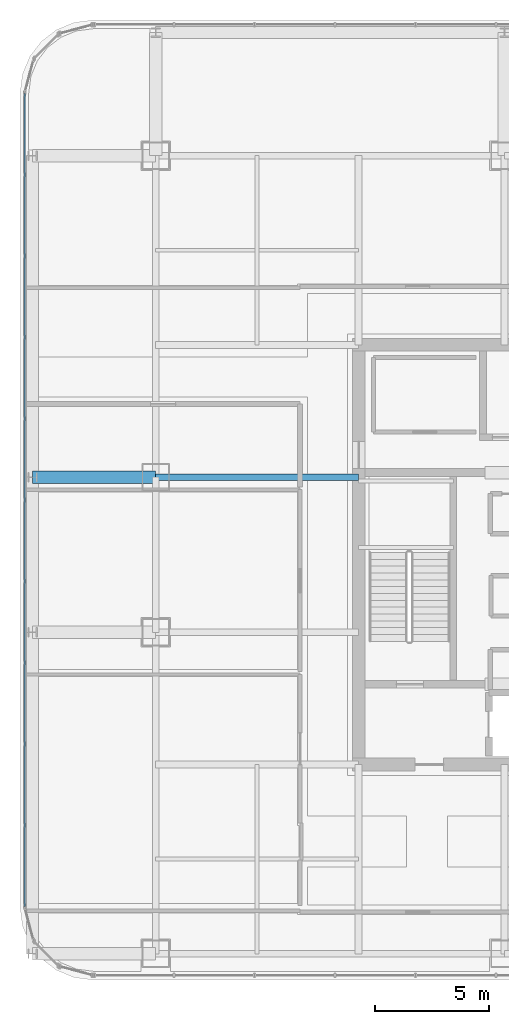
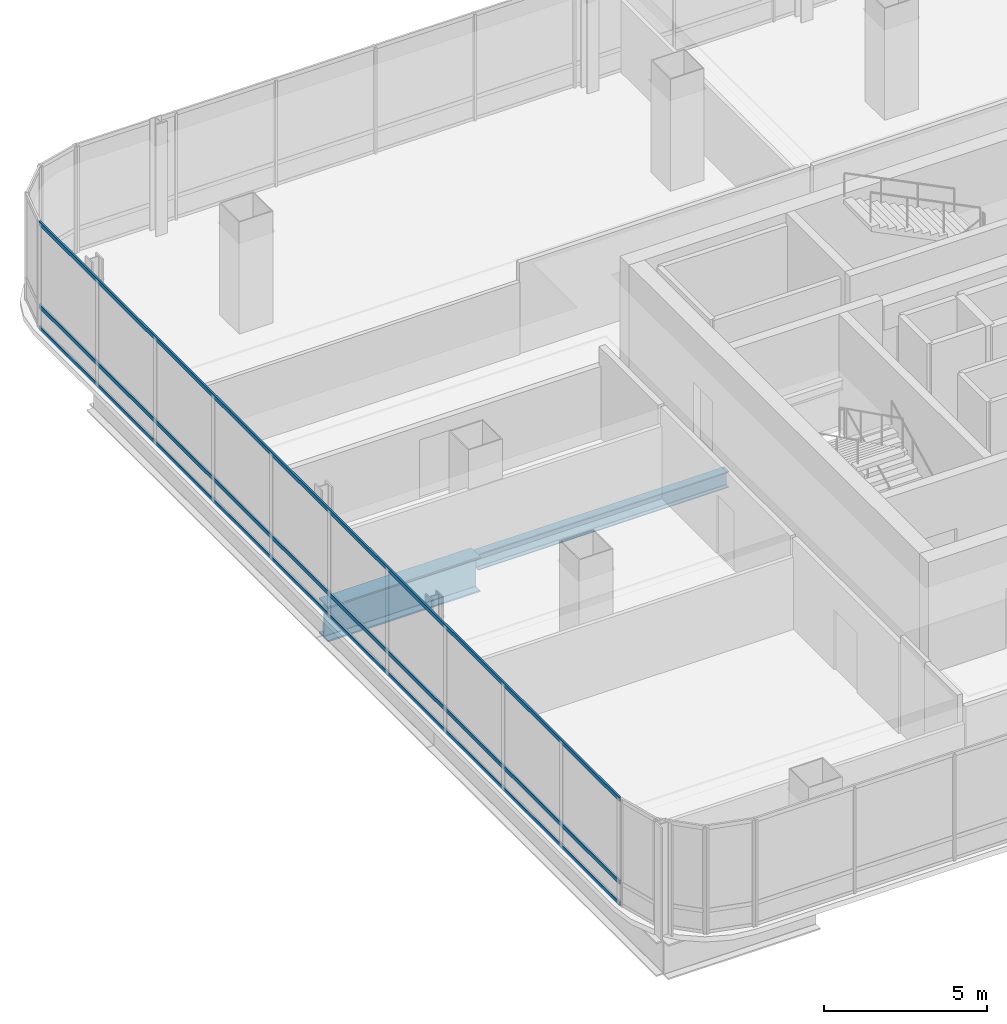
# One storey, part 12 of 41: 3 members, 2 beams, 1 element without a shape of its own.
"""IFC4 building model written with IfcOpenShell, lengths in metres."""

from ifc_helpers import new_model, si_unit, direction, frame, origin, origin_2d, place, context, subcontext, project, spatial, hollow_rectangle, i_section, extrude, material, material_profile, profile_set, type_object, element, aggregate, save


model = new_model("IFC4")

# Units and contexts
model_context = context("Model", 3, precision=1e-05, world=origin(), true_north=direction((0.0, 1.0)))
body_context = subcontext(model_context, "Body", "Model", "MODEL_VIEW")
ifc_project = project(units=[si_unit("LENGTHUNIT", "METRE"), si_unit("AREAUNIT", "SQUARE_METRE"), si_unit("VOLUMEUNIT", "CUBIC_METRE"), si_unit("PLANEANGLEUNIT", "RADIAN"), si_unit("MASSUNIT", "GRAM", prefix="KILO")], contexts=[model_context])

# Site, building, storey
site_placement = place(None, origin())
site = spatial("IfcSite", under=ifc_project, at=site_placement, CompositionType="ELEMENT")
building_placement = place(site_placement, origin())
building = spatial("IfcBuilding", under=site, at=building_placement, Name="Punatoya Terracotta Tower", CompositionType="ELEMENT")
storey_placement = place(building_placement, frame((0.0, 0.0, 309.0)))
storey = spatial("IfcBuildingStorey", under=building, at=storey_placement, Name="L73", CompositionType="ELEMENT", Elevation=309.0)

# Beams
ifc_material_1 = material(Name="Steel S355", Category="steel")
ifc_material_profile_1 = material_profile(ifc_material_1, i_section(OverallWidth=0.300048828125, OverallDepth=0.60009765625, WebThickness=0.015380859375, FlangeThickness=0.030029296875, FilletRadius=0.01806640625, at=origin_2d()))
ifc_profile_set_1 = profile_set([ifc_material_profile_1], Name="Steel S355")
beam_type_1 = type_object("IfcBeamType", Name="BM-PRI-600", PredefinedType="BEAM", material=ifc_profile_set_1)
beam_1_placement = place(storey_placement, frame((-19.10009765625, 3.39990234375, -0.5), z_axis=(1.0, 0.0, 0.0), x_axis=(0.0, 1.0, 0.0)))
element("IfcBeam", 1, at=beam_1_placement, inside=storey, type_object=beam_type_1, Name="BM-L73-PR-WE", PredefinedType="BEAM", context=body_context, shape_type="SweptSolid", body=[
    extrude(i_section(OverallWidth=0.300048828125, OverallDepth=0.60009765625, WebThickness=0.015380859375, FlangeThickness=0.030029296875, FilletRadius=0.01806640625, at=origin_2d()), origin(), (0.0, 0.0, 1.0), 8.900146484375),
])
ifc_material_2 = material(Name="Steel S460", Category="steel")
ifc_material_profile_2 = material_profile(ifc_material_2, i_section(OverallWidth=0.56005859375, OverallDepth=1.320068359375, WebThickness=0.035888671875, FlangeThickness=0.054931640625, FilletRadius=0.01806640625, at=origin_2d()))
ifc_profile_set_2 = profile_set([ifc_material_profile_2], Name="Steel S460")
beam_type_2 = type_object("IfcBeamType", Name="BM-TG-BLK", PredefinedType="BEAM", material=ifc_profile_set_2)
beam_2_placement = place(storey_placement, frame((-24.5, 3.39990234375, -0.860107421875), z_axis=(1.0, 0.0, 0.0), x_axis=(0.0, 1.0, 0.0)))
element("IfcBeam", 2, at=beam_2_placement, inside=storey, type_object=beam_type_2, Name="BM-L73-CANT-W3", PredefinedType="BEAM", context=body_context, shape_type="SweptSolid", body=[
    extrude(i_section(OverallWidth=0.56005859375, OverallDepth=1.320068359375, WebThickness=0.035888671875, FlangeThickness=0.054931640625, FilletRadius=0.01806640625, at=origin_2d()), origin(), (0.0, 0.0, 1.0), 5.39990234375),
])

# Curtain wall, members
ifc_material_3 = material(Name="Aluminium 6063-T6 + Double Low-E Glass", Category="aluminium")
curtain_wall_type = type_object("IfcCurtainWallType", Name="CW-M3", PredefinedType="NOTDEFINED", material=ifc_material_3)
curtain_wall_placement = place(storey_placement, origin())
curtain_wall = element("IfcCurtainWall", 3, at=curtain_wall_placement, inside=storey, type_object=curtain_wall_type, Name="L73 Curtain Wall CW-L73-W13-1", PredefinedType="NOTDEFINED")
ifc_material_4 = material(Name="Aluminium 6063-T6", Category="aluminium")
ifc_material_profile_3 = material_profile(ifc_material_4, hollow_rectangle(XDim=0.068115234375, YDim=0.14990234375, WallThickness=0.00390625, at=origin_2d()))
ifc_profile_set_3 = profile_set([ifc_material_profile_3], Name="Aluminium 6063-T6")
member_type = type_object("IfcMemberType", Name="CW-TRN-TYP", PredefinedType="USERDEFINED", material=ifc_profile_set_3)
member_1_placement = place(storey_placement, frame((-24.85009765625, 20.23681640625, 0.0400390625), z_axis=(0.0, -1.0, 0.0), x_axis=(1.0, 0.0, 0.0)))
member_1 = element("IfcMember", 4, at=member_1_placement, type_object=member_type, Name="CW-L73-W13-1 Transom 1", ObjectType="TRANSOM", PredefinedType="USERDEFINED", context=body_context, shape_type="SweptSolid", body=[
    extrude(hollow_rectangle(XDim=0.068115234375, YDim=0.14990234375, WallThickness=0.00390625, at=origin_2d()), origin(), (0.0, 0.0, 1.0), 35.673828125),
])
member_2_placement = place(storey_placement, frame((-24.85009765625, 20.23681640625, 0.85009765625), z_axis=(0.0, -1.0, 0.0), x_axis=(1.0, 0.0, 0.0)))
member_2 = element("IfcMember", 5, at=member_2_placement, type_object=member_type, Name="CW-L73-W13-1 Transom 2", ObjectType="TRANSOM", PredefinedType="USERDEFINED", context=body_context, shape_type="SweptSolid", body=[
    extrude(hollow_rectangle(XDim=0.068115234375, YDim=0.14990234375, WallThickness=0.00390625, at=origin_2d()), origin(), (0.0, 0.0, 1.0), 35.673828125),
])
member_3_placement = place(storey_placement, frame((-24.85009765625, 20.23681640625, 3.9599609375), z_axis=(0.0, -1.0, 0.0), x_axis=(1.0, 0.0, 0.0)))
member_3 = element("IfcMember", 6, at=member_3_placement, type_object=member_type, Name="CW-L73-W13-1 Transom 3", ObjectType="TRANSOM", PredefinedType="USERDEFINED", context=body_context, shape_type="SweptSolid", body=[
    extrude(hollow_rectangle(XDim=0.068115234375, YDim=0.14990234375, WallThickness=0.00390625, at=origin_2d()), origin(), (0.0, 0.0, 1.0), 35.673828125),
])
aggregate(curtain_wall, [member_1, member_2, member_3])

save(model, "model.ifc")
